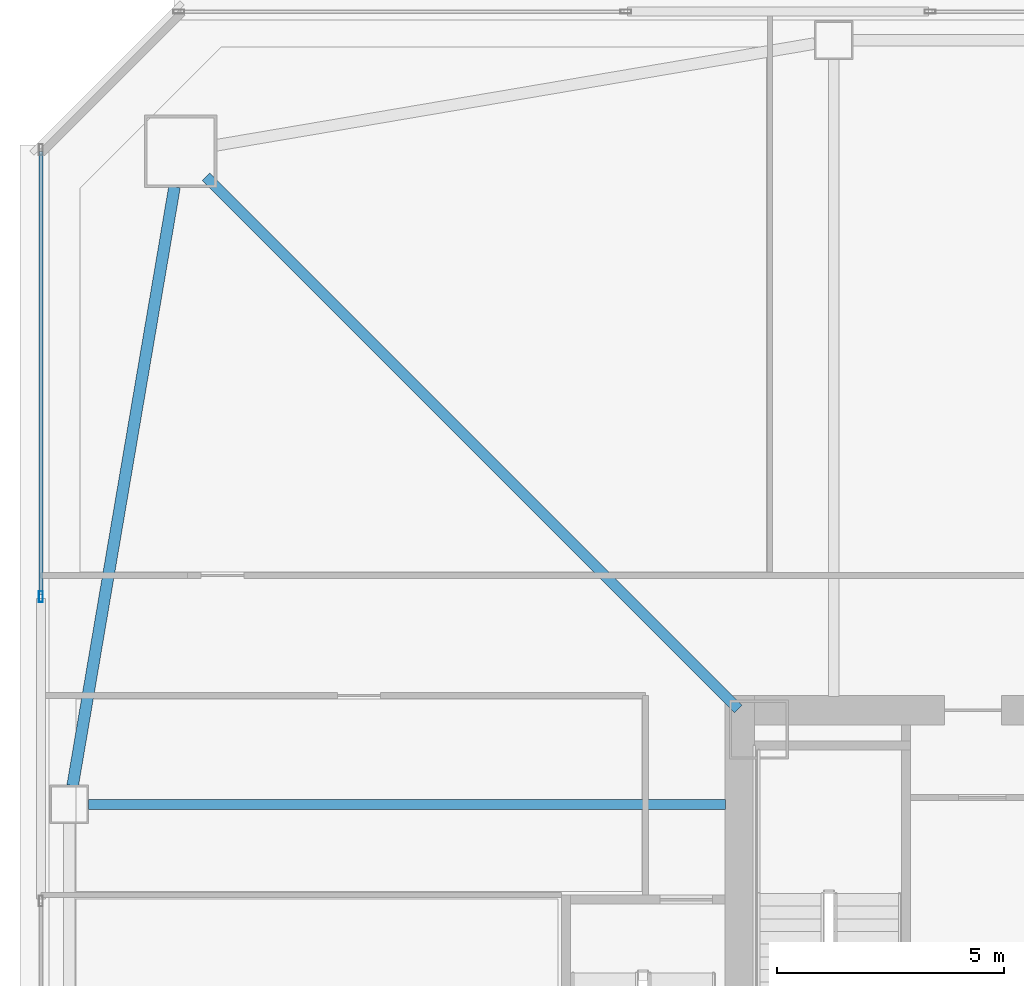
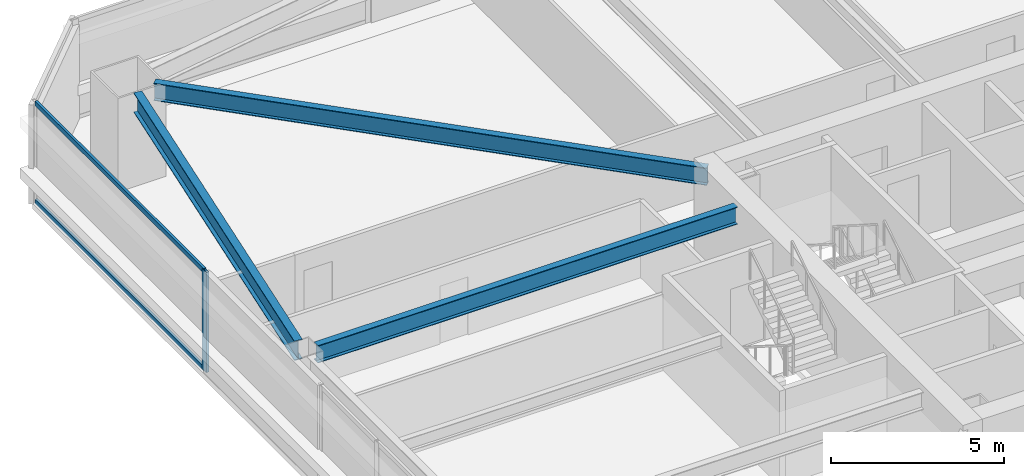
# One storey, part 10 of 45: 3 beams, 3 members, 1 element without a shape of its own.
"""IFC4 building model written with IfcOpenShell, lengths in metres."""

from ifc_helpers import new_model, si_unit, direction, frame, origin, origin_2d, place, context, subcontext, project, spatial, hollow_rectangle, i_section, extrude, material, material_profile, profile_set, type_object, element, aggregate, save


model = new_model("IFC4")

# Units and contexts
model_context = context("Model", 3, precision=1e-05, world=origin(), true_north=direction((0.0, 1.0)))
body_context = subcontext(model_context, "Body", "Model", "MODEL_VIEW")
ifc_project = project(units=[si_unit("LENGTHUNIT", "METRE"), si_unit("AREAUNIT", "SQUARE_METRE"), si_unit("VOLUMEUNIT", "CUBIC_METRE"), si_unit("PLANEANGLEUNIT", "RADIAN"), si_unit("MASSUNIT", "GRAM", prefix="KILO")], contexts=[model_context])

# Site, building, storey
site_placement = place(None, origin())
site = spatial("IfcSite", under=ifc_project, at=site_placement, CompositionType="ELEMENT")
building_placement = place(site_placement, origin())
building = spatial("IfcBuilding", under=site, at=building_placement, Name="Tashvorn Skyway Center", CompositionType="ELEMENT")
storey_placement = place(building_placement, frame((0.0, 0.0, 35.25)))
storey = spatial("IfcBuildingStorey", under=building, at=storey_placement, Name="L08", CompositionType="ELEMENT", Elevation=35.25)

# Beams
ifc_material_1 = material(Name="Steel ASTM A992 Grade 50", Category="steel")
ifc_material_profile_1 = material_profile(ifc_material_1, i_section(OverallWidth=0.22998046875, OverallDepth=0.616943359375, WebThickness=0.01318359375, FlangeThickness=0.022216796875, at=origin_2d()), Name="W24X94")
ifc_profile_set_1 = profile_set([ifc_material_profile_1], Name="Steel ASTM A992 Grade 50")
beam_type_1 = type_object("IfcBeamType", Name="BM-BEAM-W24X94", PredefinedType="BEAM", material=ifc_profile_set_1)
beam_1_placement = place(storey_placement, frame((22.76220703125, 51.23779296875, 3.04150390625), z_axis=(0.707106781187, -0.707106781187, 0.0), x_axis=(0.707106781187, 0.707106781187, 0.0)))
element("IfcBeam", 1, at=beam_1_placement, inside=storey, type_object=beam_type_1, Name="Tower 1 L08 Primary Floor Girder MC-NW", PredefinedType="BEAM", context=body_context, shape_type="SweptSolid", body=[
    extrude(i_section(OverallWidth=0.22998046875, OverallDepth=0.616943359375, WebThickness=0.01318359375, FlangeThickness=0.022216796875, at=origin_2d()), origin(), (0.0, 0.0, 1.0), 16.591064453125),
])
beam_2_placement = place(storey_placement, frame((20.169921875, 37.39990234375, 3.04150390625), z_axis=(1.0, 0.0, 0.0), x_axis=(0.0, 1.0, 0.0)))
element("IfcBeam", 2, at=beam_2_placement, inside=storey, type_object=beam_type_1, Name="Tower 1 L08 Primary Floor Girder FC-W1", PredefinedType="BEAM", context=body_context, shape_type="SweptSolid", body=[
    extrude(i_section(OverallWidth=0.22998046875, OverallDepth=0.616943359375, WebThickness=0.01318359375, FlangeThickness=0.022216796875, at=origin_2d()), origin(), (0.0, 0.0, 1.0), 14.050048828125),
])
ifc_material_profile_2 = material_profile(ifc_material_1, i_section(OverallWidth=0.256103515625, OverallDepth=0.693115234375, WebThickness=0.014404296875, FlangeThickness=0.023681640625, at=origin_2d()), Name="W27X114")
ifc_profile_set_2 = profile_set([ifc_material_profile_2], Name="Steel ASTM A992 Grade 50")
beam_type_2 = type_object("IfcBeamType", Name="BM-SPANDREL-W27X114", PredefinedType="SPANDREL", material=ifc_profile_set_2)
beam_3_placement = place(storey_placement, frame((22.066650390625, 51.016357421875, 3.00341796875), z_axis=(-0.16771792509, -0.985835025551, 0.0), x_axis=(0.985835025551, -0.16771792509, 0.0)))
element("IfcBeam", 3, at=beam_3_placement, inside=storey, type_object=beam_type_2, Name="Tower 1 L08 Spandrel Beam 10", PredefinedType="SPANDREL", context=body_context, shape_type="SweptSolid", body=[
    extrude(i_section(OverallWidth=0.256103515625, OverallDepth=0.693115234375, WebThickness=0.014404296875, FlangeThickness=0.023681640625, at=origin_2d()), origin(), (0.0, 0.0, 1.0), 13.39208984375),
])

# Curtain wall, members
ifc_material_2 = material(Name="Thermally broken bronze-anodized aluminium 6063-T6", Category="aluminium")
curtain_wall_type = type_object("IfcCurtainWallType", Name="CW-CW-Z1", PredefinedType="NOTDEFINED", material=ifc_material_2)
curtain_wall_placement = place(storey_placement, origin())
curtain_wall = element("IfcCurtainWall", 4, at=curtain_wall_placement, inside=storey, type_object=curtain_wall_type, Name="Tower 1 L08 West Unitised Curtain Wall Glazing Group 3", PredefinedType="NOTDEFINED")
ifc_material_profile_3 = material_profile(ifc_material_2, hollow_rectangle(XDim=0.0849609375, YDim=0.239990234375, WallThickness=0.0048828125, at=origin_2d()), Name="ALU-MULL-85x240")
ifc_profile_set_3 = profile_set([ifc_material_profile_3], Name="Thermally broken bronze-anodized aluminium 6063-T6")
member_type_1 = type_object("IfcMemberType", Name="CWM-CW-Z1", PredefinedType="MULLION", material=ifc_profile_set_3)
member_1_placement = place(storey_placement, frame((19.1201171875, 41.982421875, 0.0), z_axis=(0.0, 0.0, 1.0), x_axis=(-1.0, 0.0, 0.0)))
member_1 = element("IfcMember", 5, at=member_1_placement, type_object=member_type_1, Name="CW-Z1 mullion 1", PredefinedType="MULLION", context=body_context, shape_type="SweptSolid", body=[
    extrude(hollow_rectangle(XDim=0.0849609375, YDim=0.239990234375, WallThickness=0.0048828125, at=origin_2d()), origin(), (0.0, 0.0, 1.0), 3.550048828125),
])
ifc_material_profile_4 = material_profile(ifc_material_2, hollow_rectangle(XDim=0.0849609375, YDim=0.1650390625, WallThickness=0.0048828125, at=origin_2d()), Name="ALU-TRAN-85x165")
ifc_profile_set_4 = profile_set([ifc_material_profile_4], Name="Thermally broken bronze-anodized aluminium 6063-T6")
member_type_2 = type_object("IfcMemberType", Name="CWT-CW-Z1", PredefinedType="USERDEFINED", material=ifc_profile_set_4)
member_2_placement = place(storey_placement, frame((19.1201171875, 42.02490234375, 0.04248046875), z_axis=(0.0, 1.0, 0.0), x_axis=(-1.0, 0.0, 0.0)))
member_2 = element("IfcMember", 6, at=member_2_placement, type_object=member_type_2, Name="CW-Z1 transom 1.1", ObjectType="TRANSOM", PredefinedType="USERDEFINED", context=body_context, shape_type="SweptSolid", body=[
    extrude(hollow_rectangle(XDim=0.0849609375, YDim=0.1650390625, WallThickness=0.0048828125, at=origin_2d()), origin(), (0.0, 0.0, 1.0), 9.77001953125),
])
member_3_placement = place(storey_placement, frame((19.1201171875, 42.02490234375, 3.507568359375), z_axis=(0.0, 1.0, 0.0), x_axis=(-1.0, 0.0, 0.0)))
member_3 = element("IfcMember", 7, at=member_3_placement, type_object=member_type_2, Name="CW-Z1 transom 1.2", ObjectType="TRANSOM", PredefinedType="USERDEFINED", context=body_context, shape_type="SweptSolid", body=[
    extrude(hollow_rectangle(XDim=0.0849609375, YDim=0.1650390625, WallThickness=0.0048828125, at=origin_2d()), origin(), (0.0, 0.0, 1.0), 9.77001953125),
])
aggregate(curtain_wall, [member_1, member_2, member_3])

save(model, "model.ifc")
